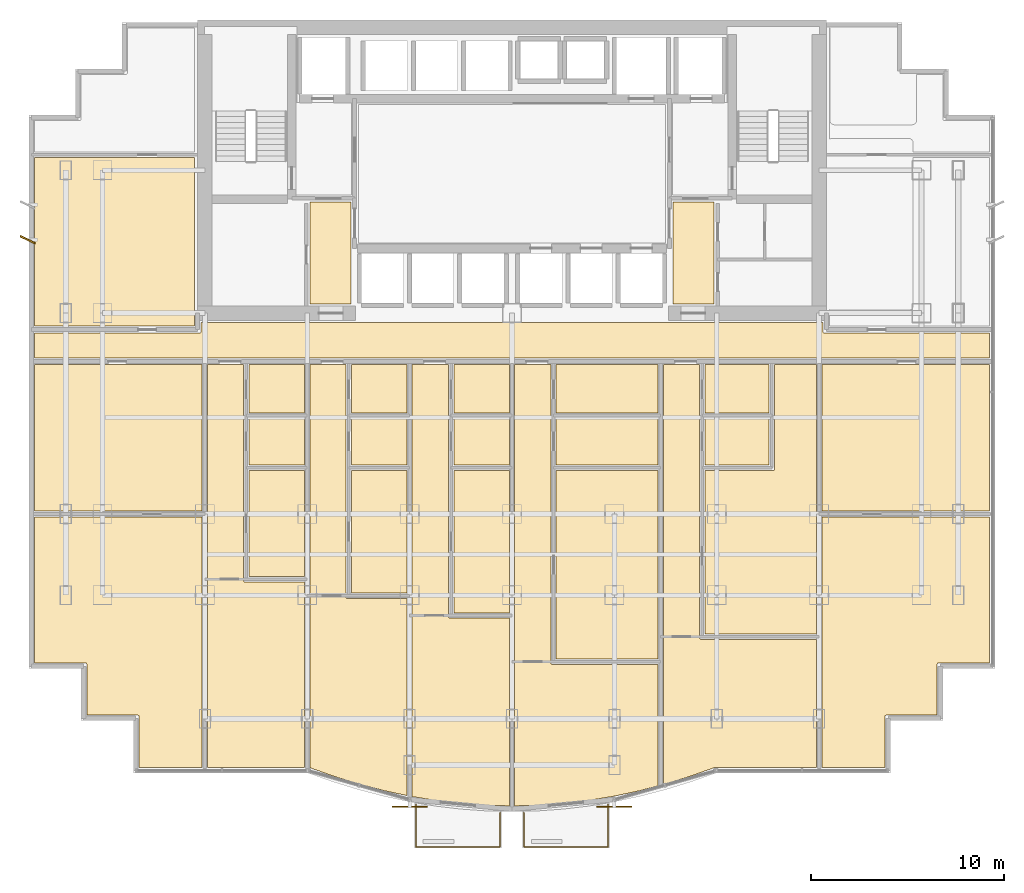
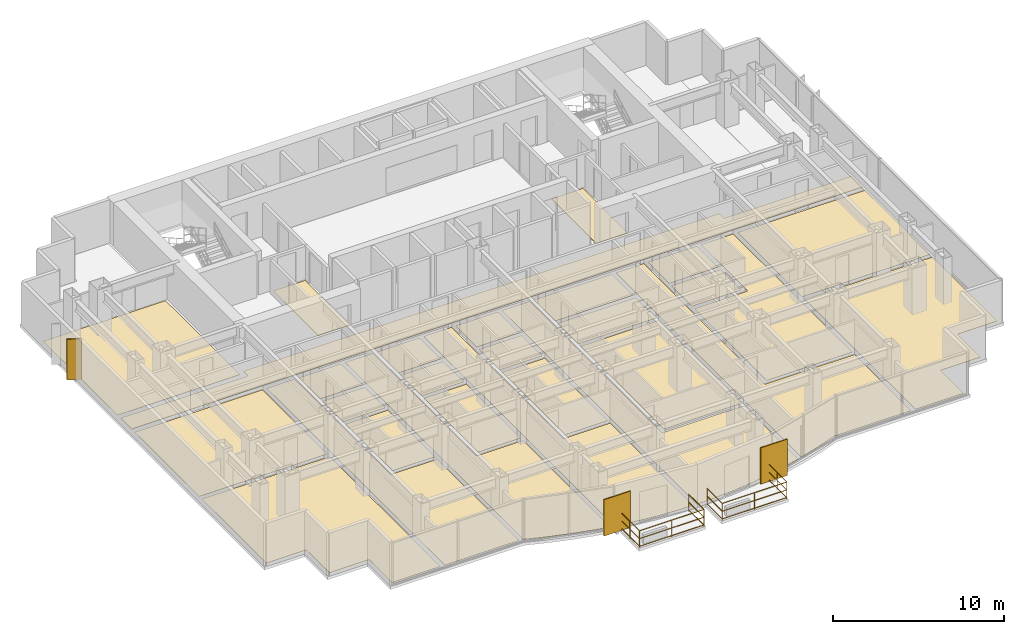
# One storey, part 11 of 12: 28 coverings, 3 shading devices, 2 railings.
"""IFC4 building model written with IfcOpenShell, lengths in metres."""

from ifc_helpers import new_model, si_unit, direction, frame, origin, origin_2d, place, context, subcontext, project, spatial, polyline, rectangle, circle, outline, extrude, source, transform, mapped, material, layer, layer_set, type_object, element, save


model = new_model("IFC4")

# Units and contexts
model_context = context("Model", 3, precision=1e-05, world=origin(), true_north=direction((0.0, 1.0)))
body_context = subcontext(model_context, "Body", "Model", "MODEL_VIEW")
ifc_project = project(units=[si_unit("LENGTHUNIT", "METRE"), si_unit("AREAUNIT", "SQUARE_METRE"), si_unit("VOLUMEUNIT", "CUBIC_METRE"), si_unit("PLANEANGLEUNIT", "RADIAN"), si_unit("MASSUNIT", "GRAM", prefix="KILO")], contexts=[model_context])

# Site, building, storey
site_placement = place(None, origin())
site = spatial("IfcSite", under=ifc_project, at=site_placement, CompositionType="ELEMENT")
building_placement = place(site_placement, origin())
building = spatial("IfcBuilding", under=site, at=building_placement, Name="Qianlan Lanfeng Residences", CompositionType="ELEMENT")
storey_placement = place(building_placement, frame((0.0, 0.0, 81.699951171875)))
storey = spatial("IfcBuildingStorey", under=building, at=storey_placement, Name="L21", CompositionType="ELEMENT", Elevation=81.699951171875)

# Coverings
ifc_material_1 = material(Name="Honed Taitung Granite Stone Flooring", Category="masonry")
ifc_layer_1 = layer(ifc_material_1, 0.030029296875)
ifc_layer_set_1 = layer_set([ifc_layer_1], Name="Honed Taitung Granite Stone Flooring")
covering_type_1 = type_object("IfcCoveringType", Name="FLR-STN-30", PredefinedType="FLOORING", material=ifc_layer_set_1)
covering_1_placement = place(storey_placement, origin())
element("IfcCovering", 1, at=covering_1_placement, inside=storey, type_object=covering_type_1, Name="L21 Residential Corridor Floor Finish", PredefinedType="FLOORING", context=body_context, shape_type="SweptSolid", body=[
    extrude(outline(polyline([(1.7900390625, 22.8798828125), (51.2099609375, 22.8798828125), (51.2099609375, 24.169921875), (42.6650390625, 24.169921875), (42.657958984375, 24.169921875), (42.65087890625, 24.1708984375), (42.64501953125, 24.173095703125), (42.637939453125, 24.175048828125), (42.632080078125, 24.177978515625), (42.6259765625, 24.181884765625), (42.62109375, 24.18603515625), (42.615966796875, 24.19091796875), (42.611083984375, 24.196044921875), (42.60693359375, 24.200927734375), (42.60302734375, 24.20703125), (42.60009765625, 24.212890625), (42.597900390625, 24.219970703125), (42.595947265625, 24.22607421875), (42.594970703125, 24.23291015625), (42.594970703125, 24.239990234375), (42.594970703125, 24.72509765625), (10.405029296875, 24.72509765625), (10.405029296875, 24.239990234375), (10.405029296875, 24.23291015625), (10.404052734375, 24.22607421875), (10.402099609375, 24.219970703125), (10.39990234375, 24.212890625), (10.39697265625, 24.20703125), (10.39306640625, 24.200927734375), (10.388916015625, 24.196044921875), (10.384033203125, 24.19091796875), (10.37890625, 24.18603515625), (10.3740234375, 24.181884765625), (10.367919921875, 24.177978515625), (10.362060546875, 24.175048828125), (10.35498046875, 24.173095703125), (10.34912109375, 24.1708984375), (10.342041015625, 24.169921875), (10.3349609375, 24.169921875), (1.7900390625, 24.169921875), (1.7900390625, 22.8798828125)])), origin(), (0.0, 0.0, 1.0), 0.030029296875),
])
covering_2_placement = place(storey_placement, origin())
element("IfcCovering", 2, at=covering_2_placement, inside=storey, type_object=covering_type_1, Name="L21 Lift Lobby Floor Finish", PredefinedType="FLOORING", context=body_context, shape_type="SweptSolid", body=[
    extrude(outline(polyline([(16.030029296875, 25.68505859375), (18.169921875, 25.68505859375), (18.169921875, 30.949951171875), (16.030029296875, 30.949951171875), (16.030029296875, 25.68505859375)])), origin(), (0.0, 0.0, 1.0), 0.030029296875),
])
covering_3_placement = place(storey_placement, origin())
element("IfcCovering", 3, at=covering_3_placement, inside=storey, type_object=covering_type_1, Name="L21 Lift Lobby Floor Finish", PredefinedType="FLOORING", context=body_context, shape_type="SweptSolid", body=[
    extrude(outline(polyline([(34.830078125, 25.68505859375), (36.969970703125, 25.68505859375), (36.969970703125, 30.949951171875), (34.830078125, 30.949951171875), (34.830078125, 25.68505859375)])), origin(), (0.0, 0.0, 1.0), 0.030029296875),
])
ifc_material_2 = material(Name="Slip-Resistant Porcelain Tile Flooring")
ifc_layer_2 = layer(ifc_material_2, 0.02001953125)
ifc_layer_set_2 = layer_set([ifc_layer_2], Name="Slip-Resistant Porcelain Tile Flooring")
covering_type_2 = type_object("IfcCoveringType", Name="FLR-TIL-20", PredefinedType="FLOORING", material=ifc_layer_set_2)
covering_4_placement = place(storey_placement, origin())
element("IfcCovering", 4, at=covering_4_placement, inside=storey, type_object=covering_type_2, Name="L21 Kitchen Floor Finish", PredefinedType="FLOORING", context=body_context, shape_type="SweptSolid", body=[
    extrude(outline(polyline([(12.889892578125, 17.340087890625), (15.760009765625, 17.340087890625), (15.760009765625, 19.760009765625), (12.889892578125, 19.760009765625), (12.889892578125, 17.340087890625)])), origin(), (0.0, 0.0, 1.0), 0.02001953125),
])
covering_5_placement = place(storey_placement, origin())
element("IfcCovering", 5, at=covering_5_placement, inside=storey, type_object=covering_type_2, Name="L21 Bathroom Floor Finish", PredefinedType="FLOORING", context=body_context, shape_type="SweptSolid", body=[
    extrude(outline(polyline([(12.889892578125, 20.0400390625), (15.760009765625, 20.0400390625), (15.760009765625, 22.530029296875), (12.889892578125, 22.530029296875), (12.889892578125, 20.0400390625)])), origin(), (0.0, 0.0, 1.0), 0.02001953125),
])
covering_6_placement = place(storey_placement, origin())
element("IfcCovering", 6, at=covering_6_placement, inside=storey, type_object=covering_type_2, Name="L21 Kitchen Floor Finish", PredefinedType="FLOORING", context=body_context, shape_type="SweptSolid", body=[
    extrude(outline(polyline([(18.18994140625, 17.340087890625), (21.06005859375, 17.340087890625), (21.06005859375, 19.760009765625), (18.18994140625, 19.760009765625), (18.18994140625, 17.340087890625)])), origin(), (0.0, 0.0, 1.0), 0.02001953125),
])
covering_7_placement = place(storey_placement, origin())
element("IfcCovering", 7, at=covering_7_placement, inside=storey, type_object=covering_type_2, Name="L21 Bathroom Floor Finish", PredefinedType="FLOORING", context=body_context, shape_type="SweptSolid", body=[
    extrude(outline(polyline([(18.18994140625, 20.0400390625), (21.06005859375, 20.0400390625), (21.06005859375, 22.530029296875), (18.18994140625, 22.530029296875), (18.18994140625, 20.0400390625)])), origin(), (0.0, 0.0, 1.0), 0.02001953125),
])
covering_8_placement = place(storey_placement, origin())
element("IfcCovering", 8, at=covering_8_placement, inside=storey, type_object=covering_type_2, Name="L21 Kitchen Floor Finish", PredefinedType="FLOORING", context=body_context, shape_type="SweptSolid", body=[
    extrude(outline(polyline([(23.489990234375, 17.340087890625), (26.360107421875, 17.340087890625), (26.360107421875, 19.760009765625), (23.489990234375, 19.760009765625), (23.489990234375, 17.340087890625)])), origin(), (0.0, 0.0, 1.0), 0.02001953125),
])
covering_9_placement = place(storey_placement, origin())
element("IfcCovering", 9, at=covering_9_placement, inside=storey, type_object=covering_type_2, Name="L21 Bathroom Floor Finish", PredefinedType="FLOORING", context=body_context, shape_type="SweptSolid", body=[
    extrude(outline(polyline([(23.489990234375, 20.0400390625), (26.360107421875, 20.0400390625), (26.360107421875, 22.530029296875), (23.489990234375, 22.530029296875), (23.489990234375, 20.0400390625)])), origin(), (0.0, 0.0, 1.0), 0.02001953125),
])
covering_10_placement = place(storey_placement, origin())
element("IfcCovering", 10, at=covering_10_placement, inside=storey, type_object=covering_type_2, Name="L21 Kitchen Floor Finish", PredefinedType="FLOORING", context=body_context, shape_type="SweptSolid", body=[
    extrude(outline(polyline([(28.7900390625, 17.340087890625), (34.06005859375, 17.340087890625), (34.06005859375, 19.760009765625), (28.7900390625, 19.760009765625), (28.7900390625, 17.340087890625)])), origin(), (0.0, 0.0, 1.0), 0.02001953125),
])
covering_11_placement = place(storey_placement, origin())
element("IfcCovering", 11, at=covering_11_placement, inside=storey, type_object=covering_type_2, Name="L21 Bathroom Floor Finish", PredefinedType="FLOORING", context=body_context, shape_type="SweptSolid", body=[
    extrude(outline(polyline([(28.7900390625, 20.0400390625), (34.06005859375, 20.0400390625), (34.06005859375, 22.530029296875), (28.7900390625, 22.530029296875), (28.7900390625, 20.0400390625)])), origin(), (0.0, 0.0, 1.0), 0.02001953125),
])
covering_12_placement = place(storey_placement, origin())
element("IfcCovering", 12, at=covering_12_placement, inside=storey, type_object=covering_type_2, Name="L21 Kitchen Floor Finish", PredefinedType="FLOORING", context=body_context, shape_type="SweptSolid", body=[
    extrude(outline(polyline([(36.489990234375, 17.340087890625), (39.81005859375, 17.340087890625), (39.81005859375, 19.760009765625), (36.489990234375, 19.760009765625), (36.489990234375, 17.340087890625)])), origin(), (0.0, 0.0, 1.0), 0.02001953125),
])
covering_13_placement = place(storey_placement, origin())
element("IfcCovering", 13, at=covering_13_placement, inside=storey, type_object=covering_type_2, Name="L21 Bathroom Floor Finish", PredefinedType="FLOORING", context=body_context, shape_type="SweptSolid", body=[
    extrude(outline(polyline([(36.489990234375, 20.0400390625), (39.81005859375, 20.0400390625), (39.81005859375, 22.530029296875), (36.489990234375, 22.530029296875), (36.489990234375, 20.0400390625)])), origin(), (0.0, 0.0, 1.0), 0.02001953125),
])
ifc_material_3 = material(Name="Engineered Smoked Oak Timber Flooring", Category="wood")
ifc_layer_3 = layer(ifc_material_3, 0.02197265625)
ifc_layer_set_3 = layer_set([ifc_layer_3], Name="Engineered Smoked Oak Timber Flooring")
covering_type_3 = type_object("IfcCoveringType", Name="FLR-TIM-22", PredefinedType="FLOORING", material=ifc_layer_set_3)
covering_14_placement = place(storey_placement, origin())
element("IfcCovering", 14, at=covering_14_placement, inside=storey, type_object=covering_type_3, Name="L21 Studio Living Room Floor Finish", PredefinedType="FLOORING", context=body_context, shape_type="SweptSolid", body=[
    extrude(outline(polyline([(15.77001953125, 1.68994140625), (15.77001953125, 11.280029296875), (12.679931640625, 11.280029296875), (12.673095703125, 11.280029296875), (12.666015625, 11.281005859375), (12.659912109375, 11.282958984375), (12.653076171875, 11.284912109375), (12.64697265625, 11.2880859375), (12.64111328125, 11.2919921875), (12.635986328125, 11.2958984375), (12.631103515625, 11.301025390625), (12.6259765625, 11.305908203125), (12.6220703125, 11.31103515625), (12.617919921875, 11.31689453125), (12.614990234375, 11.322998046875), (12.613037109375, 11.330078125), (12.611083984375, 11.3359375), (12.610107421875, 11.343017578125), (12.610107421875, 11.35009765625), (12.610107421875, 22.530029296875), (10.72998046875, 22.530029296875), (10.72998046875, 1.68994140625), (15.77001953125, 1.68994140625)])), origin(), (0.0, 0.0, 1.0), 0.02197265625),
])
covering_15_placement = place(storey_placement, origin())
element("IfcCovering", 15, at=covering_15_placement, inside=storey, type_object=covering_type_3, Name="L21 Villa Family Sitting Room Floor Finish", PredefinedType="FLOORING", context=body_context, shape_type="SweptSolid", body=[
    extrude(outline(polyline([(12.889892578125, 17.06005859375), (12.889892578125, 11.56005859375), (15.77001953125, 11.56005859375), (15.77001953125, 17.06005859375), (12.889892578125, 17.06005859375)])), origin(), (0.0, 0.0, 1.0), 0.02197265625),
])
covering_16_placement = place(storey_placement, origin())
element("IfcCovering", 16, at=covering_16_placement, inside=storey, type_object=covering_type_3, Name="L21 Studio Living Room Floor Finish", PredefinedType="FLOORING", context=body_context, shape_type="SweptSolid", body=[
    extrude(outline(polyline([(21.070068359375, 0.22607421875), (21.070068359375, 10.419921875), (17.97998046875, 10.419921875), (17.972900390625, 10.419921875), (17.966064453125, 10.4208984375), (17.9599609375, 10.423095703125), (17.952880859375, 10.425048828125), (17.947021484375, 10.427978515625), (17.94091796875, 10.431884765625), (17.93603515625, 10.43603515625), (17.930908203125, 10.44091796875), (17.926025390625, 10.446044921875), (17.922119140625, 10.450927734375), (17.91796875, 10.45703125), (17.9150390625, 10.462890625), (17.9130859375, 10.469970703125), (17.910888671875, 10.47607421875), (17.909912109375, 10.48291015625), (17.909912109375, 10.489990234375), (17.909912109375, 22.530029296875), (16.030029296875, 22.530029296875), (16.030029296875, 1.6689453125), (17.3330078125, 1.2060546875), (18.64404296875, 0.803955078125), (19.9541015625, 0.462890625), (21.070068359375, 0.22607421875)])), origin(), (0.0, 0.0, 1.0), 0.02197265625),
])
covering_17_placement = place(storey_placement, origin())
element("IfcCovering", 17, at=covering_17_placement, inside=storey, type_object=covering_type_3, Name="L21 Villa Family Sitting Room Floor Finish", PredefinedType="FLOORING", context=body_context, shape_type="SweptSolid", body=[
    extrude(outline(polyline([(18.18994140625, 17.06005859375), (18.18994140625, 10.699951171875), (21.070068359375, 10.699951171875), (21.070068359375, 17.06005859375), (18.18994140625, 17.06005859375)])), origin(), (0.0, 0.0, 1.0), 0.02197265625),
])
covering_18_placement = place(storey_placement, origin())
element("IfcCovering", 18, at=covering_18_placement, inside=storey, type_object=covering_type_3, Name="L21 Studio Living Room Floor Finish", PredefinedType="FLOORING", context=body_context, shape_type="SweptSolid", body=[
    extrude(outline(polyline([(26.3701171875, -0.306884765625), (26.3701171875, 9.406982421875), (23.280029296875, 9.406982421875), (23.27294921875, 9.406982421875), (23.26611328125, 9.407958984375), (23.260009765625, 9.409912109375), (23.2529296875, 9.412109375), (23.2470703125, 9.4150390625), (23.240966796875, 9.4189453125), (23.236083984375, 9.423095703125), (23.23095703125, 9.427978515625), (23.22607421875, 9.43310546875), (23.221923828125, 9.43798828125), (23.218017578125, 9.444091796875), (23.215087890625, 9.449951171875), (23.212890625, 9.45703125), (23.2109375, 9.462890625), (23.2099609375, 9.469970703125), (23.2099609375, 9.47705078125), (23.2099609375, 22.530029296875), (21.330078125, 22.530029296875), (21.330078125, 0.174072265625), (22.572998046875, -0.031982421875), (23.882080078125, -0.18603515625), (25.19091796875, -0.279052734375), (26.3701171875, -0.306884765625)])), origin(), (0.0, 0.0, 1.0), 0.02197265625),
])
covering_19_placement = place(storey_placement, origin())
element("IfcCovering", 19, at=covering_19_placement, inside=storey, type_object=covering_type_3, Name="L21 Villa Family Sitting Room Floor Finish", PredefinedType="FLOORING", context=body_context, shape_type="SweptSolid", body=[
    extrude(outline(polyline([(23.489990234375, 17.06005859375), (23.489990234375, 9.68701171875), (26.3701171875, 9.68701171875), (26.3701171875, 17.06005859375), (23.489990234375, 17.06005859375)])), origin(), (0.0, 0.0, 1.0), 0.02197265625),
])
covering_20_placement = place(storey_placement, origin())
element("IfcCovering", 20, at=covering_20_placement, inside=storey, type_object=covering_type_3, Name="L21 Studio Living Room Floor Finish", PredefinedType="FLOORING", context=body_context, shape_type="SweptSolid", body=[
    extrude(outline(polyline([(34.070068359375, 0.72998046875), (34.070068359375, 7.02197265625), (28.580078125, 7.02197265625), (28.572998046875, 7.02197265625), (28.56591796875, 7.02294921875), (28.56005859375, 7.02490234375), (28.552978515625, 7.027099609375), (28.547119140625, 7.030029296875), (28.541015625, 7.033935546875), (28.535888671875, 7.0380859375), (28.531005859375, 7.04296875), (28.52587890625, 7.048095703125), (28.52197265625, 7.052978515625), (28.51806640625, 7.05908203125), (28.514892578125, 7.06494140625), (28.512939453125, 7.072021484375), (28.510986328125, 7.077880859375), (28.510009765625, 7.0849609375), (28.510009765625, 7.092041015625), (28.510009765625, 22.530029296875), (26.6298828125, 22.530029296875), (26.6298828125, -0.306884765625), (27.80810546875, -0.279052734375), (29.117919921875, -0.18603515625), (30.426025390625, -0.031982421875), (31.736083984375, 0.18505859375), (33.044921875, 0.462890625), (34.070068359375, 0.72998046875)])), origin(), (0.0, 0.0, 1.0), 0.02197265625),
])
covering_21_placement = place(storey_placement, origin())
element("IfcCovering", 21, at=covering_21_placement, inside=storey, type_object=covering_type_3, Name="L21 Villa Family Sitting Room Floor Finish", PredefinedType="FLOORING", context=body_context, shape_type="SweptSolid", body=[
    extrude(outline(polyline([(28.7900390625, 17.06005859375), (28.7900390625, 7.302001953125), (34.070068359375, 7.302001953125), (34.070068359375, 17.06005859375), (28.7900390625, 17.06005859375)])), origin(), (0.0, 0.0, 1.0), 0.02197265625),
])
covering_22_placement = place(storey_placement, origin())
element("IfcCovering", 22, at=covering_22_placement, inside=storey, type_object=covering_type_3, Name="L21 Studio Living Room Floor Finish", PredefinedType="FLOORING", context=body_context, shape_type="SweptSolid", body=[
    extrude(outline(polyline([(42.27001953125, 1.68994140625), (42.27001953125, 8.30908203125), (36.280029296875, 8.30908203125), (36.27294921875, 8.30908203125), (36.26611328125, 8.31005859375), (36.260009765625, 8.31201171875), (36.2529296875, 8.31396484375), (36.2470703125, 8.31689453125), (36.240966796875, 8.321044921875), (36.236083984375, 8.324951171875), (36.23095703125, 8.330078125), (36.22607421875, 8.3349609375), (36.221923828125, 8.340087890625), (36.218017578125, 8.345947265625), (36.215087890625, 8.35205078125), (36.212890625, 8.35888671875), (36.2109375, 8.364990234375), (36.2099609375, 8.3720703125), (36.2099609375, 8.37890625), (36.2099609375, 22.530029296875), (34.330078125, 22.530029296875), (34.330078125, 0.797119140625), (34.35595703125, 0.803955078125), (35.6669921875, 1.2060546875), (37.01904296875, 1.68603515625), (37.02587890625, 1.68798828125), (37.033935546875, 1.68994140625), (37.0419921875, 1.68994140625), (42.27001953125, 1.68994140625)])), origin(), (0.0, 0.0, 1.0), 0.02197265625),
])
covering_23_placement = place(storey_placement, origin())
element("IfcCovering", 23, at=covering_23_placement, inside=storey, type_object=covering_type_3, Name="L21 Villa Family Sitting Room Floor Finish", PredefinedType="FLOORING", context=body_context, shape_type="SweptSolid", body=[
    extrude(outline(polyline([(36.489990234375, 8.589111328125), (42.27001953125, 8.589111328125), (42.27001953125, 22.530029296875), (40.090087890625, 22.530029296875), (40.090087890625, 17.1298828125), (40.090087890625, 17.123046875), (40.089111328125, 17.115966796875), (40.0869140625, 17.110107421875), (40.0849609375, 17.10302734375), (40.08203125, 17.096923828125), (40.077880859375, 17.091064453125), (40.073974609375, 17.0859375), (40.069091796875, 17.0810546875), (40.06396484375, 17.075927734375), (40.05908203125, 17.072021484375), (40.052978515625, 17.068115234375), (40.047119140625, 17.06494140625), (40.0400390625, 17.06298828125), (40.033935546875, 17.06103515625), (40.027099609375, 17.06005859375), (40.02001953125, 17.06005859375), (36.489990234375, 17.06005859375), (36.489990234375, 8.589111328125)])), origin(), (0.0, 0.0, 1.0), 0.02197265625),
])
covering_24_placement = place(storey_placement, origin())
element("IfcCovering", 24, at=covering_24_placement, inside=storey, type_object=covering_type_3, Name="L21 Sunroom Floor Finish", PredefinedType="FLOORING", context=body_context, shape_type="SweptSolid", body=[
    extrude(outline(polyline([(10.43994140625, 14.64990234375), (1.7900390625, 14.64990234375), (1.7900390625, 7.090087890625), (4.419921875, 7.090087890625), (4.427001953125, 7.090087890625), (4.43408203125, 7.089111328125), (4.43994140625, 7.0869140625), (4.447021484375, 7.0849609375), (4.452880859375, 7.08203125), (4.458984375, 7.077880859375), (4.464111328125, 7.073974609375), (4.468994140625, 7.069091796875), (4.47412109375, 7.06396484375), (4.47802734375, 7.05908203125), (4.48193359375, 7.052978515625), (4.485107421875, 7.047119140625), (4.487060546875, 7.0400390625), (4.489013671875, 7.033935546875), (4.489990234375, 7.027099609375), (4.489990234375, 7.02001953125), (4.489990234375, 4.389892578125), (7.1201171875, 4.389892578125), (7.126953125, 4.389892578125), (7.134033203125, 4.388916015625), (7.139892578125, 4.386962890625), (7.14697265625, 4.385009765625), (7.153076171875, 4.382080078125), (7.158935546875, 4.3779296875), (7.1640625, 4.3740234375), (7.1689453125, 4.368896484375), (7.174072265625, 4.364013671875), (7.177978515625, 4.35888671875), (7.181884765625, 4.35302734375), (7.18505859375, 4.346923828125), (7.18701171875, 4.340087890625), (7.18896484375, 4.333984375), (7.18994140625, 4.326904296875), (7.18994140625, 4.320068359375), (7.18994140625, 1.68994140625), (10.43994140625, 1.68994140625), (10.43994140625, 14.64990234375)])), origin(), (0.0, 0.0, 1.0), 0.02197265625),
])
covering_25_placement = place(storey_placement, origin())
element("IfcCovering", 25, at=covering_25_placement, inside=storey, type_object=covering_type_3, Name="L21 Family Sitting Room Floor Finish", PredefinedType="FLOORING", context=body_context, shape_type="SweptSolid", body=[
    extrude(outline(polyline([(10.43994140625, 22.530029296875), (1.7900390625, 22.530029296875), (1.7900390625, 14.949951171875), (10.43994140625, 14.949951171875), (10.43994140625, 22.530029296875)])), origin(), (0.0, 0.0, 1.0), 0.02197265625),
])
covering_26_placement = place(storey_placement, origin())
element("IfcCovering", 26, at=covering_26_placement, inside=storey, type_object=covering_type_3, Name="L21 Sunroom Floor Finish", PredefinedType="FLOORING", context=body_context, shape_type="SweptSolid", body=[
    extrude(outline(polyline([(51.2099609375, 14.64990234375), (42.56005859375, 14.64990234375), (42.56005859375, 1.68994140625), (45.81005859375, 1.68994140625), (45.81005859375, 4.320068359375), (45.81005859375, 4.326904296875), (45.81103515625, 4.333984375), (45.81298828125, 4.340087890625), (45.81494140625, 4.346923828125), (45.818115234375, 4.35302734375), (45.822021484375, 4.35888671875), (45.825927734375, 4.364013671875), (45.8310546875, 4.368896484375), (45.8359375, 4.3740234375), (45.841064453125, 4.3779296875), (45.846923828125, 4.382080078125), (45.85302734375, 4.385009765625), (45.860107421875, 4.386962890625), (45.865966796875, 4.388916015625), (45.873046875, 4.389892578125), (45.8798828125, 4.389892578125), (48.510009765625, 4.389892578125), (48.510009765625, 7.02001953125), (48.510009765625, 7.027099609375), (48.510986328125, 7.033935546875), (48.512939453125, 7.0400390625), (48.514892578125, 7.047119140625), (48.51806640625, 7.052978515625), (48.52197265625, 7.05908203125), (48.52587890625, 7.06396484375), (48.531005859375, 7.069091796875), (48.535888671875, 7.073974609375), (48.541015625, 7.077880859375), (48.547119140625, 7.08203125), (48.552978515625, 7.0849609375), (48.56005859375, 7.0869140625), (48.56591796875, 7.089111328125), (48.572998046875, 7.090087890625), (48.580078125, 7.090087890625), (51.2099609375, 7.090087890625), (51.2099609375, 14.64990234375)])), origin(), (0.0, 0.0, 1.0), 0.02197265625),
])
covering_27_placement = place(storey_placement, origin())
element("IfcCovering", 27, at=covering_27_placement, inside=storey, type_object=covering_type_3, Name="L21 Private Study Floor Finish", PredefinedType="FLOORING", context=body_context, shape_type="SweptSolid", body=[
    extrude(outline(polyline([(51.2099609375, 22.530029296875), (42.56005859375, 22.530029296875), (42.56005859375, 14.949951171875), (51.2099609375, 14.949951171875), (51.2099609375, 22.530029296875)])), origin(), (0.0, 0.0, 1.0), 0.02197265625),
])
covering_28_placement = place(storey_placement, origin())
element("IfcCovering", 28, at=covering_28_placement, inside=storey, type_object=covering_type_3, Name="L21 Business Meeting Room Floor Finish", PredefinedType="FLOORING", context=body_context, shape_type="SweptSolid", body=[
    extrude(outline(polyline([(10.074951171875, 33.25), (1.7900390625, 33.25), (1.7900390625, 24.530029296875), (10.074951171875, 24.530029296875), (10.074951171875, 33.25)])), origin(), (0.0, 0.0, 1.0), 0.02197265625),
])

# Railings
ifc_material_4 = material(Name="Anodised Bronze Aluminium and Laminated Glass Guard Balustrade", Category="aluminium")
railing_type = type_object("IfcRailingType", Name="GR-EXT-1220", PredefinedType="BALUSTRADE", material=ifc_material_4)
railing_1_placement = place(storey_placement, frame((25.8798828125, -0.655029296875, 0.0)))
element("IfcRailing", 29, at=railing_1_placement, inside=storey, type_object=railing_type, Name="L21 Terrace Safety Guard GR-L21-SB-W", PredefinedType="BALUSTRADE", context=body_context, shape_type="SweptSolid", body=[
    extrude(circle(Radius=0.02490234375, at=origin_2d()), frame((0.0, 0.0, 0.0849609375), z_axis=(0.0, -1.0, 0.0), x_axis=(1.0, 0.0, 0.0)), (0.0, 0.0, 1.0), 1.77490234375),
    extrude(circle(Radius=0.02490234375, at=origin_2d()), frame((0.0, 0.0, 0.63427734375), z_axis=(0.0, -1.0, 0.0), x_axis=(1.0, 0.0, 0.0)), (0.0, 0.0, 1.0), 1.77490234375),
    extrude(circle(Radius=0.02490234375, at=origin_2d()), frame((0.0, 0.0, 1.19482421875), z_axis=(0.0, -1.0, 0.0), x_axis=(1.0, 0.0, 0.0)), (0.0, 0.0, 1.0), 1.77490234375),
    extrude(circle(Radius=0.02490234375, at=origin_2d()), frame((0.0, -1.77490234375, 0.0849609375), z_axis=(-1.0, 0.0, 0.0), x_axis=(0.0, -1.0, 0.0)), (0.0, 0.0, 1.0), 4.35986328125),
    extrude(circle(Radius=0.02490234375, at=origin_2d()), frame((0.0, -1.77490234375, 0.63427734375), z_axis=(-1.0, 0.0, 0.0), x_axis=(0.0, -1.0, 0.0)), (0.0, 0.0, 1.0), 4.35986328125),
    extrude(circle(Radius=0.02490234375, at=origin_2d()), frame((0.0, -1.77490234375, 1.19482421875), z_axis=(-1.0, 0.0, 0.0), x_axis=(0.0, -1.0, 0.0)), (0.0, 0.0, 1.0), 4.35986328125),
    extrude(circle(Radius=0.02490234375, at=origin_2d()), frame((-4.35986328125, -1.77490234375, 0.0849609375), z_axis=(0.0, 1.0, 0.0), x_axis=(-1.0, 0.0, 0.0)), (0.0, 0.0, 1.0), 2.20703125),
    extrude(circle(Radius=0.02490234375, at=origin_2d()), frame((-4.35986328125, -1.77490234375, 0.63427734375), z_axis=(0.0, 1.0, 0.0), x_axis=(-1.0, 0.0, 0.0)), (0.0, 0.0, 1.0), 2.20703125),
    extrude(circle(Radius=0.02490234375, at=origin_2d()), frame((-4.35986328125, -1.77490234375, 1.19482421875), z_axis=(0.0, 1.0, 0.0), x_axis=(-1.0, 0.0, 0.0)), (0.0, 0.0, 1.0), 2.20703125),
    extrude(circle(Radius=0.02099609375, at=origin_2d()), origin(), (0.0, 0.0, 1.0), 1.169921875),
    extrude(circle(Radius=0.02099609375, at=origin_2d()), frame((0.0, -1.77490234375, 0.0)), (0.0, 0.0, 1.0), 1.169921875),
    extrude(circle(Radius=0.02099609375, at=origin_2d()), frame((-2.179931640625, -1.77490234375, 0.0)), (0.0, 0.0, 1.0), 1.169921875),
    extrude(circle(Radius=0.02099609375, at=origin_2d()), frame((-4.35986328125, -1.77490234375, 0.0)), (0.0, 0.0, 1.0), 1.169921875),
    extrude(circle(Radius=0.02099609375, at=origin_2d()), frame((-4.35986328125, -0.67138671875, 0.0)), (0.0, 0.0, 1.0), 1.169921875),
    extrude(circle(Radius=0.02099609375, at=origin_2d()), frame((-4.35986328125, 0.43212890625, 0.0)), (0.0, 0.0, 1.0), 1.169921875),
])
railing_2_placement = place(storey_placement, frame((31.47998046875, -0.222900390625, 0.0)))
element("IfcRailing", 30, at=railing_2_placement, inside=storey, type_object=railing_type, Name="L21 Terrace Safety Guard GR-L21-SB-E", PredefinedType="BALUSTRADE", context=body_context, shape_type="SweptSolid", body=[
    extrude(circle(Radius=0.02490234375, at=origin_2d()), frame((0.0, 0.0, 0.0849609375), z_axis=(0.0, -1.0, 0.0), x_axis=(1.0, 0.0, 0.0)), (0.0, 0.0, 1.0), 2.20703125),
    extrude(circle(Radius=0.02490234375, at=origin_2d()), frame((0.0, 0.0, 0.63427734375), z_axis=(0.0, -1.0, 0.0), x_axis=(1.0, 0.0, 0.0)), (0.0, 0.0, 1.0), 2.20703125),
    extrude(circle(Radius=0.02490234375, at=origin_2d()), frame((0.0, 0.0, 1.19482421875), z_axis=(0.0, -1.0, 0.0), x_axis=(1.0, 0.0, 0.0)), (0.0, 0.0, 1.0), 2.20703125),
    extrude(circle(Radius=0.02490234375, at=origin_2d()), frame((0.0, -2.20703125, 0.0849609375), z_axis=(-1.0, 0.0, 0.0), x_axis=(0.0, -1.0, 0.0)), (0.0, 0.0, 1.0), 4.35986328125),
    extrude(circle(Radius=0.02490234375, at=origin_2d()), frame((0.0, -2.20703125, 0.63427734375), z_axis=(-1.0, 0.0, 0.0), x_axis=(0.0, -1.0, 0.0)), (0.0, 0.0, 1.0), 4.35986328125),
    extrude(circle(Radius=0.02490234375, at=origin_2d()), frame((0.0, -2.20703125, 1.19482421875), z_axis=(-1.0, 0.0, 0.0), x_axis=(0.0, -1.0, 0.0)), (0.0, 0.0, 1.0), 4.35986328125),
    extrude(circle(Radius=0.02490234375, at=origin_2d()), frame((-4.35986328125, -2.20703125, 0.0849609375), z_axis=(0.0, 1.0, 0.0), x_axis=(-1.0, 0.0, 0.0)), (0.0, 0.0, 1.0), 1.77490234375),
    extrude(circle(Radius=0.02490234375, at=origin_2d()), frame((-4.35986328125, -2.20703125, 0.63427734375), z_axis=(0.0, 1.0, 0.0), x_axis=(-1.0, 0.0, 0.0)), (0.0, 0.0, 1.0), 1.77490234375),
    extrude(circle(Radius=0.02490234375, at=origin_2d()), frame((-4.35986328125, -2.20703125, 1.19482421875), z_axis=(0.0, 1.0, 0.0), x_axis=(-1.0, 0.0, 0.0)), (0.0, 0.0, 1.0), 1.77490234375),
    extrude(circle(Radius=0.02099609375, at=origin_2d()), origin(), (0.0, 0.0, 1.0), 1.169921875),
    extrude(circle(Radius=0.02099609375, at=origin_2d()), frame((0.0, -1.103515625, 0.0)), (0.0, 0.0, 1.0), 1.169921875),
    extrude(circle(Radius=0.02099609375, at=origin_2d()), frame((0.0, -2.20703125, 0.0)), (0.0, 0.0, 1.0), 1.169921875),
    extrude(circle(Radius=0.02099609375, at=origin_2d()), frame((-2.179931640625, -2.20703125, 0.0)), (0.0, 0.0, 1.0), 1.169921875),
    extrude(circle(Radius=0.02099609375, at=origin_2d()), frame((-4.35986328125, -2.20703125, 0.0)), (0.0, 0.0, 1.0), 1.169921875),
    extrude(circle(Radius=0.02099609375, at=origin_2d()), frame((-4.35986328125, -0.43212890625, 0.0)), (0.0, 0.0, 1.0), 1.169921875),
])

# Shading devices
ifc_material_5 = material(Name="Perforated Bronze Aluminium Solar Screen", Category="aluminium")
shading_device_type_1 = type_object("IfcShadingDeviceType", Name="SCR-BRZ-1800", PredefinedType="JALOUSIE", material=ifc_material_5)
shared_shape_1 = source(origin(), body_context, "Body", "SweptSolid", [
    extrude(rectangle(XDim=1.800048828125, YDim=0.06005859375, at=origin_2d()), origin(), (0.0, 0.0, 1.0), 2.60009765625),
])
for number, where, z_axis, x_axis, name in (
    (31, (21.199951171875, -0.360107421875, 0.0), (0.0, 0.0, 1.0), (1.0, 0.0, 0.0), "L21 Perforated Bronze Solar Screen 1"),
    (32, (31.800048828125, -0.360107421875, 0.0), (0.0, 0.0, 1.0), (1.0, 0.0, 0.0), "L21 Perforated Bronze Solar Screen 2"),
):
    element("IfcShadingDevice", number, at=place(storey_placement, frame(where, z_axis=z_axis, x_axis=x_axis)), inside=storey, type_object=shading_device_type_1, Name=name, PredefinedType="JALOUSIE", context=body_context, shape_type="MappedRepresentation", body=[
        mapped(shared_shape_1, transform((0.0, 0.0, 0.0), scale=1.0)),
    ])
ifc_material_6 = material(Name="Anodised Bronze Aluminium Solar Fin", Category="aluminium")
shading_device_type_2 = type_object("IfcShadingDeviceType", Name="FIN-BRZ-850", PredefinedType="SHUTTER", material=ifc_material_6)
shared_shape_2 = source(origin(), body_context, "Body", "SweptSolid", [
    extrude(rectangle(XDim=0.85009765625, YDim=0.080078125, at=origin_2d()), origin(), (0.0, 0.0, 1.0), 2.89990234375),
])
shading_device_placement = place(storey_placement, frame((1.429931640625, 29.0, 0.0), z_axis=(0.0, 0.0, 1.0), x_axis=(0.898794046299, -0.438371146789, 0.0)))
element("IfcShadingDevice", 33, at=shading_device_placement, inside=storey, type_object=shading_device_type_2, Name="L21 Raked Bronze Solar Fin W1", PredefinedType="SHUTTER", context=body_context, shape_type="MappedRepresentation", body=[
    mapped(shared_shape_2, transform((0.0, 0.0, 0.0), scale=1.0)),
])

save(model, "model.ifc")
